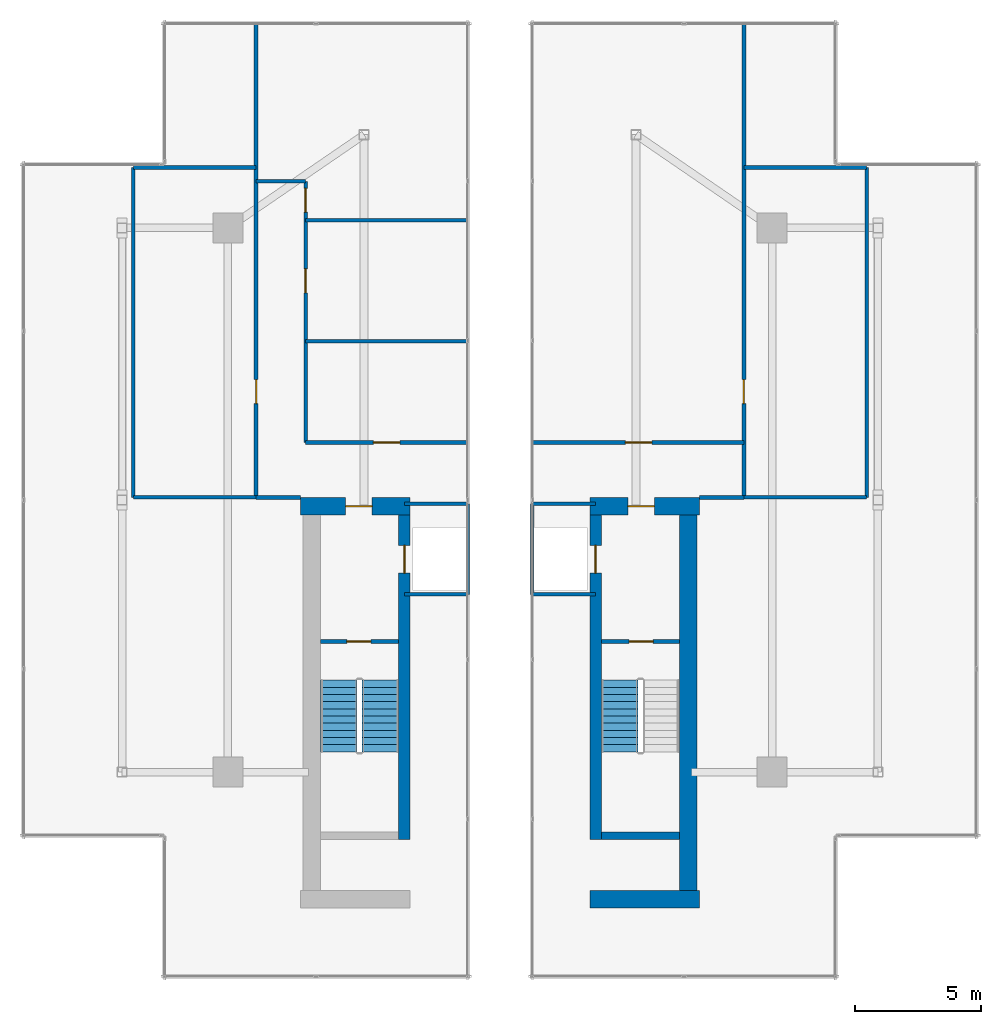
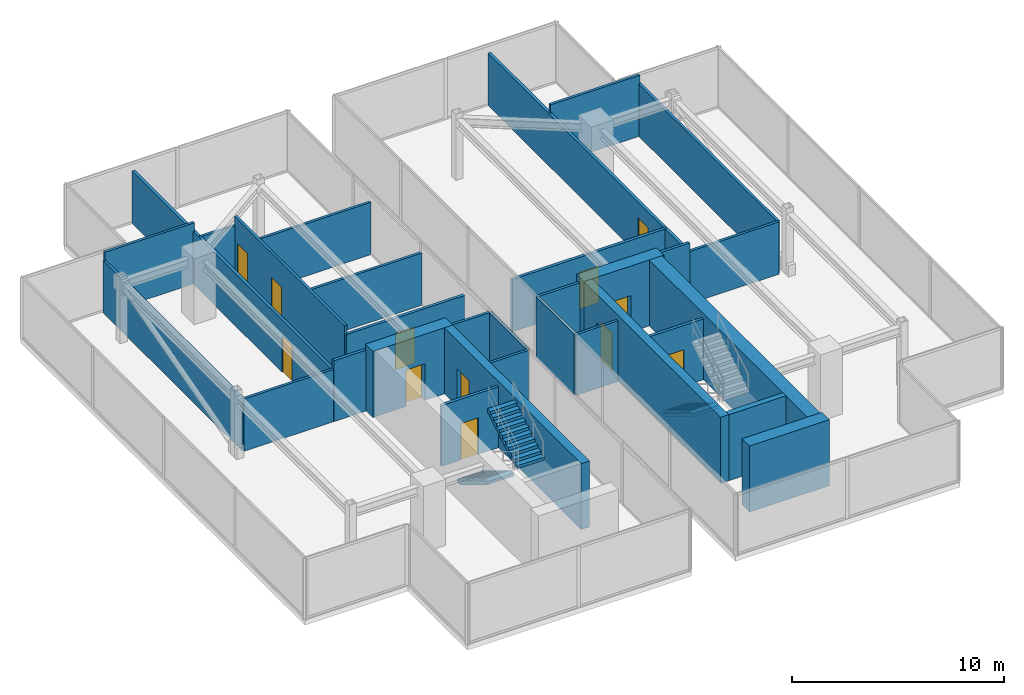
# One storey, part 23 of 25: 31 walls, 12 doors, 3 stair flights, 12 openings, 2 elements without a shape of their own.
"""IFC4 building model written with IfcOpenShell, lengths in metres."""

from ifc_helpers import new_model, si_unit, direction, frame, frame_2d, origin, place, context, subcontext, project, spatial, polyline, rectangle, outline, extrude, material, layer, layer_set, type_object, element, fill, aggregate, save


model = new_model("IFC4")

# Units and contexts
model_context = context("Model", 3, precision=1e-05, world=origin(), true_north=direction((0.0, 1.0)))
body_context = subcontext(model_context, "Body", "Model", "MODEL_VIEW")
ifc_project = project(units=[si_unit("LENGTHUNIT", "METRE"), si_unit("AREAUNIT", "SQUARE_METRE"), si_unit("VOLUMEUNIT", "CUBIC_METRE"), si_unit("PLANEANGLEUNIT", "RADIAN"), si_unit("MASSUNIT", "GRAM", prefix="KILO")], contexts=[model_context])

# Site, building, storey
site_placement = place(None, origin())
site = spatial("IfcSite", under=ifc_project, at=site_placement, CompositionType="ELEMENT")
building_placement = place(site_placement, origin())
building = spatial("IfcBuilding", under=site, at=building_placement, Name="Krantzveldt Concourse Tower", CompositionType="ELEMENT")
storey_placement = place(building_placement, frame((0.0, 0.0, 370.85009765625)))
storey = spatial("IfcBuildingStorey", under=building, at=storey_placement, Name="L91", CompositionType="ELEMENT", Elevation=370.85009765625)

# Walls
ifc_material_1 = material(Name="Fire-rated gypsum plasterboard on steel stud", Category="steel")
ifc_layer_1 = layer(ifc_material_1, 0.139892578125, Name="Fire-rated gypsum plasterboard on steel stud", Category="steel")
ifc_layer_set_1 = layer_set([ifc_layer_1], Name="Fire-rated gypsum plasterboard on steel stud (WL-PART-FR140)")
wall_type_1 = type_object("IfcWallType", Name="WL-PART-FR140", PredefinedType="PARTITIONING", material=ifc_layer_set_1)
wall_1_placement = place(storey_placement, frame((34.719970703125, 22.949951171875, 0.0), z_axis=(0.0, 0.0, 1.0), x_axis=(0.0, 1.0, 0.0)))
element("IfcWall", 1, at=wall_1_placement, inside=storey, type_object=wall_type_1, Name="WP-L91-FL1E", PredefinedType="PARTITIONING", context=body_context, shape_type="SweptSolid", body=[
    extrude(rectangle(XDim=3.60009765625, YDim=0.139892578125, at=frame_2d((1.800048828125, 0.0))), origin(), (0.0, 0.0, 1.0), 3.5),
])
for number, where, z_axis, x_axis, name in (
    (2, (32.2099609375, 22.949951171875, 0.0), (0.0, 0.0, 1.0), (1.0, 0.0, 0.0), "WP-L91-FL1S"),
    (3, (32.2099609375, 26.550048828125, 0.0), (0.0, 0.0, 1.0), (1.0, 0.0, 0.0), "WP-L91-FL1N"),
):
    element("IfcWall", number, at=place(storey_placement, frame(where, z_axis=z_axis, x_axis=x_axis)), inside=storey, type_object=wall_type_1, Name=name, PredefinedType="PARTITIONING", context=body_context, shape_type="SweptSolid", body=[
        extrude(rectangle(XDim=2.510009765625, YDim=0.139892578125, at=frame_2d((1.2548828125, 0.0))), origin(), (0.0, 0.0, 1.0), 3.5),
    ])
wall_2_placement = place(storey_placement, frame((37.280029296875, 22.949951171875, 0.0), z_axis=(0.0, 0.0, 1.0), x_axis=(0.0, 1.0, 0.0)))
element("IfcWall", 4, at=wall_2_placement, inside=storey, type_object=wall_type_1, Name="WP-L91-FL2W", PredefinedType="PARTITIONING", context=body_context, shape_type="SweptSolid", body=[
    extrude(rectangle(XDim=3.60009765625, YDim=0.139892578125, at=frame_2d((1.800048828125, 0.0))), origin(), (0.0, 0.0, 1.0), 3.5),
])
for number, where, z_axis, x_axis, name in (
    (5, (37.280029296875, 22.949951171875, 0.0), (0.0, 0.0, 1.0), (1.0, 0.0, 0.0), "WP-L91-FL2S"),
    (6, (37.280029296875, 26.550048828125, 0.0), (0.0, 0.0, 1.0), (1.0, 0.0, 0.0), "WP-L91-FL2N"),
):
    element("IfcWall", number, at=place(storey_placement, frame(where, z_axis=z_axis, x_axis=x_axis)), inside=storey, type_object=wall_type_1, Name=name, PredefinedType="PARTITIONING", context=body_context, shape_type="SweptSolid", body=[
        extrude(rectangle(XDim=2.510009765625, YDim=0.139892578125, at=frame_2d((1.2548828125, 0.0))), origin(), (0.0, 0.0, 1.0), 3.5),
    ])
wall_3_placement = place(storey_placement, frame((21.449951171875, 26.800048828125, 0.0), z_axis=(0.0, 0.0, 1.0), x_axis=(0.0, 1.0, 0.0)))
element("IfcWall", 7, at=wall_3_placement, inside=storey, type_object=wall_type_1, Name="WP-L91-CWW", PredefinedType="PARTITIONING", context=body_context, shape_type="SweptSolid", body=[
    extrude(rectangle(XDim=13.099853515625, YDim=0.139892578125, at=frame_2d((6.5498046875, 0.0))), origin(), (0.0, 0.0, 1.0), 3.010009765625),
])
wall_4_placement = place(storey_placement, frame((21.449951171875, 26.800048828125, 0.0), z_axis=(0.0, 0.0, 1.0), x_axis=(1.0, 0.0, 0.0)))
element("IfcWall", 8, at=wall_4_placement, inside=storey, type_object=wall_type_1, Name="WP-L91-CWS", PredefinedType="PARTITIONING", context=body_context, shape_type="SweptSolid", body=[
    extrude(rectangle(XDim=4.8701171875, YDim=0.139892578125, at=frame_2d((2.43505859375, 0.0))), origin(), (0.0, 0.0, 1.0), 3.010009765625),
])
wall_5_placement = place(storey_placement, frame((21.449951171875, 39.89990234375, 0.0), z_axis=(0.0, 0.0, 1.0), x_axis=(1.0, 0.0, 0.0)))
element("IfcWall", 9, at=wall_5_placement, inside=storey, type_object=wall_type_1, Name="WP-L91-CWTOP", PredefinedType="PARTITIONING", context=body_context, shape_type="SweptSolid", body=[
    extrude(rectangle(XDim=4.8701171875, YDim=0.139892578125, at=frame_2d((2.43505859375, 0.0))), origin(), (0.0, 0.0, 1.0), 3.5),
])

# Wall, openings, doors
wall_6_placement = place(storey_placement, frame((28.280029296875, 28.97998046875, 0.0), z_axis=(0.0, 0.0, 1.0), x_axis=(0.0, 1.0, 0.0)))
wall_6 = element("IfcWall", 10, at=wall_6_placement, inside=storey, type_object=wall_type_1, Name="WP-L91-CNKR", PredefinedType="PARTITIONING", context=body_context, shape_type="SweptSolid", body=[
    extrude(rectangle(XDim=10.3701171875, YDim=0.139892578125, at=frame_2d((5.18505859375, 0.0))), origin(), (0.0, 0.0, 1.0), 3.5),
])
opening_1_placement = place(wall_6_placement, frame((5.945068359375, 0.0, 0.0)))
opening_1 = element("IfcOpeningElement", 11, at=opening_1_placement, cuts=wall_6, Name="Opening D-FD695", PredefinedType="OPENING", context=body_context, shape_type="SweptSolid", body=[
    extrude(rectangle(XDim=0.949951171875, YDim=2.10009765625, at=frame_2d((0.47509765625, 1.050048828125))), frame((0.0, 0.080078125, 0.0), z_axis=(0.0, -1.0, 0.0), x_axis=(1.0, 0.0, 0.0)), (0.0, 0.0, 1.0), 0.159912109375),
])
opening_2_placement = place(wall_6_placement, frame((9.14501953125, 0.0, 0.0)))
opening_2 = element("IfcOpeningElement", 12, at=opening_2_placement, cuts=wall_6, Name="Opening D-FD695", PredefinedType="OPENING", context=body_context, shape_type="SweptSolid", body=[
    extrude(rectangle(XDim=0.949951171875, YDim=2.10009765625, at=frame_2d((0.47509765625, 1.050048828125))), frame((0.0, 0.080078125, 0.0), z_axis=(0.0, -1.0, 0.0), x_axis=(1.0, 0.0, 0.0)), (0.0, 0.0, 1.0), 0.159912109375),
])
ifc_material_2 = material(Name="Hardwood timber", Category="wood")
door_type_1 = type_object("IfcDoorType", Name="DR-FD60-950", OperationType="SINGLE_SWING_LEFT", PredefinedType="DOOR", material=ifc_material_2)
door_1_placement = place(opening_1_placement, origin())
door_1 = element("IfcDoor", 13, at=door_1_placement, inside=storey, type_object=door_type_1, Name="DR-L91-PLT2", OperationType="SINGLE_SWING_RIGHT", OverallHeight=2.10009765625, OverallWidth=0.949951171875, PredefinedType="DOOR", context=body_context, shape_type="SweptSolid", body=[
    extrude(rectangle(XDim=0.949951171875, YDim=2.10009765625, at=frame_2d((0.47509765625, 1.050048828125))), frame((0.0, 0.02490234375, 0.0), z_axis=(0.0, -1.0, 0.0), x_axis=(1.0, 0.0, 0.0)), (0.0, 0.0, 1.0), 0.050048828125),
])
fill(opening_1, door_1)
door_2_placement = place(opening_2_placement, origin())
door_2 = element("IfcDoor", 14, at=door_2_placement, inside=storey, type_object=door_type_1, Name="DR-L91-PLT3", OperationType="SINGLE_SWING_LEFT", OverallHeight=2.10009765625, OverallWidth=0.949951171875, PredefinedType="DOOR", context=body_context, shape_type="SweptSolid", body=[
    extrude(rectangle(XDim=0.949951171875, YDim=2.10009765625, at=frame_2d((0.47509765625, 1.050048828125))), frame((0.0, 0.02490234375, 0.0), z_axis=(0.0, -1.0, 0.0), x_axis=(1.0, 0.0, 0.0)), (0.0, 0.0, 1.0), 0.050048828125),
])
fill(opening_2, door_2)

# Walls
for number, where, z_axis, x_axis, name in (
    (15, (28.280029296875, 33.0, 0.0), (0.0, 0.0, 1.0), (1.0, 0.0, 0.0), "WP-L91-CDV1"),
    (16, (28.280029296875, 37.800048828125, 0.0), (0.0, 0.0, 1.0), (1.0, 0.0, 0.0), "WP-L91-CDV2"),
):
    element("IfcWall", number, at=place(storey_placement, frame(where, z_axis=z_axis, x_axis=x_axis)), inside=storey, type_object=wall_type_1, Name=name, PredefinedType="PARTITIONING", context=body_context, shape_type="SweptSolid", body=[
        extrude(rectangle(XDim=6.429931640625, YDim=0.139892578125, at=frame_2d((3.21484375, 0.0))), origin(), (0.0, 0.0, 1.0), 3.010009765625),
    ])
wall_7_placement = place(storey_placement, frame((26.320068359375, 39.35009765625, 0.0), z_axis=(0.0, 0.0, 1.0), x_axis=(1.0, 0.0, 0.0)))
element("IfcWall", 17, at=wall_7_placement, inside=storey, type_object=wall_type_1, Name="WP-L91-CNKT", PredefinedType="PARTITIONING", context=body_context, shape_type="SweptSolid", body=[
    extrude(rectangle(XDim=1.9599609375, YDim=0.139892578125, at=frame_2d((0.97998046875, 0.0))), origin(), (0.0, 0.0, 1.0), 3.010009765625),
])
wall_8_placement = place(storey_placement, frame((50.550048828125, 26.800048828125, 0.0), z_axis=(0.0, 0.0, 1.0), x_axis=(0.0, 1.0, 0.0)))
element("IfcWall", 18, at=wall_8_placement, inside=storey, type_object=wall_type_1, Name="WP-L91-EEE", PredefinedType="PARTITIONING", context=body_context, shape_type="SweptSolid", body=[
    extrude(rectangle(XDim=13.099853515625, YDim=0.139892578125, at=frame_2d((6.5498046875, 0.0))), origin(), (0.0, 0.0, 1.0), 3.010009765625),
])
wall_9_placement = place(storey_placement, frame((45.679931640625, 26.800048828125, 0.0), z_axis=(0.0, 0.0, 1.0), x_axis=(1.0, 0.0, 0.0)))
element("IfcWall", 19, at=wall_9_placement, inside=storey, type_object=wall_type_1, Name="WP-L91-EES", PredefinedType="PARTITIONING", context=body_context, shape_type="SweptSolid", body=[
    extrude(rectangle(XDim=4.8701171875, YDim=0.139892578125, at=frame_2d((2.43505859375, 0.0))), origin(), (0.0, 0.0, 1.0), 3.010009765625),
])
wall_10_placement = place(storey_placement, frame((45.679931640625, 39.89990234375, 0.0), z_axis=(0.0, 0.0, 1.0), x_axis=(1.0, 0.0, 0.0)))
element("IfcWall", 20, at=wall_10_placement, inside=storey, type_object=wall_type_1, Name="WP-L91-ETP", PredefinedType="PARTITIONING", context=body_context, shape_type="SweptSolid", body=[
    extrude(rectangle(XDim=4.8701171875, YDim=0.139892578125, at=frame_2d((2.43505859375, 0.0))), origin(), (0.0, 0.0, 1.0), 3.5),
])

# Wall, opening, door
ifc_layer_2 = layer(ifc_material_1, 0.159912109375, Name="Fire-rated gypsum plasterboard on steel stud", Category="steel")
ifc_layer_set_2 = layer_set([ifc_layer_2], Name="Fire-rated gypsum plasterboard on steel stud (WL-PART-FR160)")
wall_type_2 = type_object("IfcWallType", Name="WL-PART-FR160", PredefinedType="PARTITIONING", material=ifc_layer_set_2)
wall_11_placement = place(storey_placement, frame((28.8798828125, 21.080078125, 0.0), z_axis=(0.0, 0.0, 1.0), x_axis=(1.0, 0.0, 0.0)))
wall_11 = element("IfcWall", 21, at=wall_11_placement, inside=storey, type_object=wall_type_2, Name="WP-L91-ST1", PredefinedType="PARTITIONING", context=body_context, shape_type="SweptSolid", body=[
    extrude(rectangle(XDim=3.10009765625, YDim=0.159912109375, at=frame_2d((1.550048828125, 0.0))), origin(), (0.0, 0.0, 1.0), 3.5),
])
opening_3_placement = place(wall_11_placement, frame((1.044921875, 0.0, 0.0)))
opening_3 = element("IfcOpeningElement", 22, at=opening_3_placement, cuts=wall_11, Name="Opening D-FD095", PredefinedType="OPENING", context=body_context, shape_type="SweptSolid", body=[
    extrude(rectangle(XDim=0.949951171875, YDim=2.10009765625, at=frame_2d((0.47509765625, 1.050048828125))), frame((0.0, 0.08984375, 0.0), z_axis=(0.0, -1.0, 0.0), x_axis=(1.0, 0.0, 0.0)), (0.0, 0.0, 1.0), 0.179931640625),
])
ifc_material_3 = material(Name="Galvanised steel", Category="steel")
door_type_2 = type_object("IfcDoorType", Name="DR-FD120-950", OperationType="SINGLE_SWING_LEFT", PredefinedType="DOOR", material=ifc_material_3)
door_3_placement = place(opening_3_placement, origin())
door_3 = element("IfcDoor", 23, at=door_3_placement, inside=storey, type_object=door_type_2, Name="DR-L91-ST1", OperationType="SINGLE_SWING_RIGHT", OverallHeight=2.10009765625, OverallWidth=0.949951171875, PredefinedType="DOOR", context=body_context, shape_type="SweptSolid", body=[
    extrude(rectangle(XDim=0.949951171875, YDim=2.10009765625, at=frame_2d((0.47509765625, 1.050048828125))), frame((0.0, 0.02490234375, 0.0), z_axis=(0.0, -1.0, 0.0), x_axis=(1.0, 0.0, 0.0)), (0.0, 0.0, 1.0), 0.050048828125),
])
fill(opening_3, door_3)

wall_12_placement = place(storey_placement, frame((40.02001953125, 21.080078125, 0.0), z_axis=(0.0, 0.0, 1.0), x_axis=(1.0, 0.0, 0.0)))
wall_12 = element("IfcWall", 24, at=wall_12_placement, inside=storey, type_object=wall_type_2, Name="WP-L91-ST2", PredefinedType="PARTITIONING", context=body_context, shape_type="SweptSolid", body=[
    extrude(rectangle(XDim=3.10009765625, YDim=0.159912109375, at=frame_2d((1.550048828125, 0.0))), origin(), (0.0, 0.0, 1.0), 3.5),
])
opening_4_placement = place(wall_12_placement, frame((1.10498046875, 0.0, 0.0)))
opening_4 = element("IfcOpeningElement", 25, at=opening_4_placement, cuts=wall_12, Name="Opening D-FD095", PredefinedType="OPENING", context=body_context, shape_type="SweptSolid", body=[
    extrude(rectangle(XDim=0.949951171875, YDim=2.10009765625, at=frame_2d((0.47509765625, 1.050048828125))), frame((0.0, 0.08984375, 0.0), z_axis=(0.0, -1.0, 0.0), x_axis=(1.0, 0.0, 0.0)), (0.0, 0.0, 1.0), 0.179931640625),
])
door_4_placement = place(opening_4_placement, origin())
door_4 = element("IfcDoor", 26, at=door_4_placement, inside=storey, type_object=door_type_2, Name="DR-L91-ST2", OperationType="SINGLE_SWING_LEFT", OverallHeight=2.10009765625, OverallWidth=0.949951171875, PredefinedType="DOOR", context=body_context, shape_type="SweptSolid", body=[
    extrude(rectangle(XDim=0.949951171875, YDim=2.10009765625, at=frame_2d((0.47509765625, 1.050048828125))), frame((0.0, 0.02490234375, 0.0), z_axis=(0.0, -1.0, 0.0), x_axis=(1.0, 0.0, 0.0)), (0.0, 0.0, 1.0), 0.050048828125),
])
fill(opening_4, door_4)

wall_13_placement = place(storey_placement, frame((28.280029296875, 28.97998046875, 0.0), z_axis=(0.0, 0.0, 1.0), x_axis=(1.0, 0.0, 0.0)))
wall_13 = element("IfcWall", 27, at=wall_13_placement, inside=storey, type_object=wall_type_2, Name="WP-L91-CN1R", PredefinedType="PARTITIONING", context=body_context, shape_type="SweptSolid", body=[
    extrude(rectangle(XDim=6.429931640625, YDim=0.159912109375, at=frame_2d((3.21484375, 0.0))), origin(), (0.0, 0.0, 1.0), 3.010009765625),
])
opening_5_placement = place(wall_13_placement, frame((2.695068359375, 0.0, 0.0)))
opening_5 = element("IfcOpeningElement", 28, at=opening_5_placement, cuts=wall_13, Name="Opening D-FD105", PredefinedType="OPENING", context=body_context, shape_type="SweptSolid", body=[
    extrude(rectangle(XDim=1.050048828125, YDim=2.10009765625, at=frame_2d((0.52490234375, 1.050048828125))), frame((0.0, 0.08984375, 0.0), z_axis=(0.0, -1.0, 0.0), x_axis=(1.0, 0.0, 0.0)), (0.0, 0.0, 1.0), 0.179931640625),
])
door_type_3 = type_object("IfcDoorType", Name="DR-FD120-1050", OperationType="SINGLE_SWING_LEFT", PredefinedType="DOOR", material=ifc_material_3)
door_5_placement = place(opening_5_placement, origin())
door_5 = element("IfcDoor", 29, at=door_5_placement, inside=storey, type_object=door_type_3, Name="DR-L91-PLT1", OperationType="SINGLE_SWING_LEFT", OverallHeight=2.10009765625, OverallWidth=1.050048828125, PredefinedType="DOOR", context=body_context, shape_type="SweptSolid", body=[
    extrude(rectangle(XDim=1.050048828125, YDim=2.10009765625, at=frame_2d((0.52490234375, 1.050048828125))), frame((0.0, 0.02490234375, 0.0), z_axis=(0.0, -1.0, 0.0), x_axis=(1.0, 0.0, 0.0)), (0.0, 0.0, 1.0), 0.050048828125),
])
fill(opening_5, door_5)

# Wall
wall_14_placement = place(storey_placement, frame((26.320068359375, 26.800048828125, 0.0), z_axis=(0.0, 0.0, 1.0), x_axis=(1.0, 0.0, 0.0)))
element("IfcWall", 30, at=wall_14_placement, inside=storey, type_object=wall_type_2, Name="WP-L91-CS1", PredefinedType="PARTITIONING", context=body_context, shape_type="SweptSolid", body=[
    extrude(rectangle(XDim=1.760009765625, YDim=0.159912109375, at=frame_2d((0.8798828125, 0.0))), origin(), (0.0, 0.0, 1.0), 3.5),
])

# Wall, opening, door
wall_15_placement = place(storey_placement, frame((26.320068359375, 26.800048828125, 0.0), z_axis=(0.0, 0.0, 1.0), x_axis=(0.0, 1.0, 0.0)))
wall_15 = element("IfcWall", 31, at=wall_15_placement, inside=storey, type_object=wall_type_2, Name="WP-L91-CWL", PredefinedType="PARTITIONING", context=body_context, shape_type="SweptSolid", body=[
    extrude(rectangle(XDim=18.81005859375, YDim=0.159912109375, at=frame_2d((9.405029296875, 0.0))), origin(), (0.0, 0.0, 1.0), 3.010009765625),
])
opening_6_placement = place(wall_15_placement, frame((3.72509765625, 0.0, 0.0)))
opening_6 = element("IfcOpeningElement", 32, at=opening_6_placement, cuts=wall_15, Name="Opening D-FD695", PredefinedType="OPENING", context=body_context, shape_type="SweptSolid", body=[
    extrude(rectangle(XDim=0.949951171875, YDim=2.10009765625, at=frame_2d((0.47509765625, 1.050048828125))), frame((0.0, 0.08984375, 0.0), z_axis=(0.0, -1.0, 0.0), x_axis=(1.0, 0.0, 0.0)), (0.0, 0.0, 1.0), 0.179931640625),
])
door_6_placement = place(opening_6_placement, origin())
door_6 = element("IfcDoor", 33, at=door_6_placement, inside=storey, type_object=door_type_1, Name="DR-L91-PLT4", OperationType="SINGLE_SWING_LEFT", OverallHeight=2.10009765625, OverallWidth=0.949951171875, PredefinedType="DOOR", context=body_context, shape_type="SweptSolid", body=[
    extrude(rectangle(XDim=0.949951171875, YDim=2.10009765625, at=frame_2d((0.47509765625, 1.050048828125))), frame((0.0, 0.02490234375, 0.0), z_axis=(0.0, -1.0, 0.0), x_axis=(1.0, 0.0, 0.0)), (0.0, 0.0, 1.0), 0.050048828125),
])
fill(opening_6, door_6)

wall_16_placement = place(storey_placement, frame((37.2900390625, 28.97998046875, 0.0), z_axis=(0.0, 0.0, 1.0), x_axis=(1.0, 0.0, 0.0)))
wall_16 = element("IfcWall", 34, at=wall_16_placement, inside=storey, type_object=wall_type_2, Name="WP-L91-EN1", PredefinedType="PARTITIONING", context=body_context, shape_type="SweptSolid", body=[
    extrude(rectangle(XDim=8.389892578125, YDim=0.159912109375, at=frame_2d((4.19482421875, 0.0))), origin(), (0.0, 0.0, 1.0), 3.010009765625),
])
opening_7_placement = place(wall_16_placement, frame((3.68505859375, 0.0, 0.0)))
opening_7 = element("IfcOpeningElement", 35, at=opening_7_placement, cuts=wall_16, Name="Opening D-FD105", PredefinedType="OPENING", context=body_context, shape_type="SweptSolid", body=[
    extrude(rectangle(XDim=1.050048828125, YDim=2.10009765625, at=frame_2d((0.52490234375, 1.050048828125))), frame((0.0, 0.08984375, 0.0), z_axis=(0.0, -1.0, 0.0), x_axis=(1.0, 0.0, 0.0)), (0.0, 0.0, 1.0), 0.179931640625),
])
door_7_placement = place(opening_7_placement, origin())
door_7 = element("IfcDoor", 36, at=door_7_placement, inside=storey, type_object=door_type_3, Name="DR-L91-EPLT1", OperationType="SINGLE_SWING_RIGHT", OverallHeight=2.10009765625, OverallWidth=1.050048828125, PredefinedType="DOOR", context=body_context, shape_type="SweptSolid", body=[
    extrude(rectangle(XDim=1.050048828125, YDim=2.10009765625, at=frame_2d((0.52490234375, 1.050048828125))), frame((0.0, 0.02490234375, 0.0), z_axis=(0.0, -1.0, 0.0), x_axis=(1.0, 0.0, 0.0)), (0.0, 0.0, 1.0), 0.050048828125),
])
fill(opening_7, door_7)

# Wall
wall_17_placement = place(storey_placement, frame((43.919921875, 26.800048828125, 0.0), z_axis=(0.0, 0.0, 1.0), x_axis=(1.0, 0.0, 0.0)))
element("IfcWall", 37, at=wall_17_placement, inside=storey, type_object=wall_type_2, Name="WP-L91-ES1", PredefinedType="PARTITIONING", context=body_context, shape_type="SweptSolid", body=[
    extrude(rectangle(XDim=1.760009765625, YDim=0.159912109375, at=frame_2d((0.8798828125, 0.0))), origin(), (0.0, 0.0, 1.0), 3.5),
])

# Wall, opening, door
wall_18_placement = place(storey_placement, frame((45.679931640625, 26.800048828125, 0.0), z_axis=(0.0, 0.0, 1.0), x_axis=(0.0, 1.0, 0.0)))
wall_18 = element("IfcWall", 38, at=wall_18_placement, inside=storey, type_object=wall_type_2, Name="WP-L91-EER", PredefinedType="PARTITIONING", context=body_context, shape_type="SweptSolid", body=[
    extrude(rectangle(XDim=18.81005859375, YDim=0.159912109375, at=frame_2d((9.405029296875, 0.0))), origin(), (0.0, 0.0, 1.0), 3.010009765625),
])
opening_8_placement = place(wall_18_placement, frame((3.72509765625, 0.0, 0.0)))
opening_8 = element("IfcOpeningElement", 39, at=opening_8_placement, cuts=wall_18, Name="Opening D-FD695", PredefinedType="OPENING", context=body_context, shape_type="SweptSolid", body=[
    extrude(rectangle(XDim=0.949951171875, YDim=2.10009765625, at=frame_2d((0.47509765625, 1.050048828125))), frame((0.0, 0.08984375, 0.0), z_axis=(0.0, -1.0, 0.0), x_axis=(1.0, 0.0, 0.0)), (0.0, 0.0, 1.0), 0.179931640625),
])
door_8_placement = place(opening_8_placement, origin())
door_8 = element("IfcDoor", 40, at=door_8_placement, inside=storey, type_object=door_type_1, Name="DR-L91-EPLT2", OperationType="SINGLE_SWING_RIGHT", OverallHeight=2.10009765625, OverallWidth=0.949951171875, PredefinedType="DOOR", context=body_context, shape_type="SweptSolid", body=[
    extrude(rectangle(XDim=0.949951171875, YDim=2.10009765625, at=frame_2d((0.47509765625, 1.050048828125))), frame((0.0, 0.02490234375, 0.0), z_axis=(0.0, -1.0, 0.0), x_axis=(1.0, 0.0, 0.0)), (0.0, 0.0, 1.0), 0.050048828125),
])
fill(opening_8, door_8)

# Wall
ifc_material_4 = material(Name="Concrete C50/60", Category="concrete")
ifc_layer_3 = layer(ifc_material_4, 0.300048828125, Name="Concrete C50/60", Category="concrete")
ifc_layer_set_3 = layer_set([ifc_layer_3], Name="Concrete C50/60 (WL-SHEAR-300)")
wall_type_3 = type_object("IfcWallType", Name="WL-SHEAR-300", PredefinedType="SHEAR", material=ifc_layer_set_3)
wall_19_placement = place(storey_placement, frame((40.02001953125, 13.3701171875, 0.0), z_axis=(0.0, 0.0, 1.0), x_axis=(1.0, 0.0, 0.0)))
element("IfcWall", 41, at=wall_19_placement, inside=storey, type_object=wall_type_3, Name="CW-L91-ST2S", PredefinedType="SHEAR", context=body_context, shape_type="SweptSolid", body=[
    extrude(rectangle(XDim=3.10009765625, YDim=0.300048828125, at=frame_2d((1.550048828125, 0.0))), origin(), (0.0, 0.0, 1.0), 3.7998046875),
])

# Wall, opening, door
ifc_layer_4 = layer(ifc_material_4, 0.449951171875, Name="Concrete C50/60", Category="concrete")
ifc_layer_set_4 = layer_set([ifc_layer_4], Name="Concrete C50/60 (WL-SHEAR-450)")
wall_type_4 = type_object("IfcWallType", Name="WL-SHEAR-450", PredefinedType="SHEAR", material=ifc_layer_set_4)
wall_20_placement = place(storey_placement, frame((32.205078125, 13.219970703125, 0.0), z_axis=(0.0, 0.0, 1.0), x_axis=(0.0, 1.0, 0.0)))
wall_20 = element("IfcWall", 42, at=wall_20_placement, inside=storey, type_object=wall_type_4, Name="CW-L91-WC-E", PredefinedType="SHEAR", context=body_context, shape_type="SweptSolid", body=[
    extrude(rectangle(XDim=12.880126953125, YDim=0.449951171875, at=frame_2d((6.43994140625, 0.0))), origin(), (0.0, 0.0, 1.0), 3.7998046875),
])
opening_9_placement = place(wall_20_placement, frame((10.580078125, 0.0, 0.0)))
opening_9 = element("IfcOpeningElement", 43, at=opening_9_placement, cuts=wall_20, Name="Opening LD", PredefinedType="OPENING", context=body_context, shape_type="SweptSolid", body=[
    extrude(rectangle(XDim=1.10009765625, YDim=2.14990234375, at=frame_2d((0.550048828125, 1.074951171875))), frame((0.0, 0.23486328125, 0.0), z_axis=(0.0, -1.0, 0.0), x_axis=(1.0, 0.0, 0.0)), (0.0, 0.0, 1.0), 0.469970703125),
])
ifc_material_5 = material(Name="Stainless steel 316L", Category="steel")
door_type_4 = type_object("IfcDoorType", Name="DR-SLIDE-LD1100", OperationType="DOUBLE_DOOR_SLIDING", PredefinedType="DOOR", material=ifc_material_5)
door_9_placement = place(opening_9_placement, origin())
door_9 = element("IfcDoor", 44, at=door_9_placement, inside=storey, type_object=door_type_4, Name="LD-L91-FL1", OperationType="DOUBLE_DOOR_SLIDING", OverallHeight=2.14990234375, OverallWidth=1.10009765625, PredefinedType="DOOR", context=body_context, shape_type="SweptSolid", body=[
    extrude(rectangle(XDim=1.10009765625, YDim=2.14990234375, at=frame_2d((0.550048828125, 1.074951171875))), frame((0.0, 0.02490234375, 0.0), z_axis=(0.0, -1.0, 0.0), x_axis=(1.0, 0.0, 0.0)), (0.0, 0.0, 1.0), 0.050048828125),
])
fill(opening_9, door_9)

wall_21_placement = place(storey_placement, frame((39.794921875, 13.219970703125, 0.0), z_axis=(0.0, 0.0, 1.0), x_axis=(0.0, 1.0, 0.0)))
wall_21 = element("IfcWall", 45, at=wall_21_placement, inside=storey, type_object=wall_type_4, Name="CW-L91-EC-W", PredefinedType="SHEAR", context=body_context, shape_type="SweptSolid", body=[
    extrude(rectangle(XDim=12.880126953125, YDim=0.449951171875, at=frame_2d((6.43994140625, 0.0))), origin(), (0.0, 0.0, 1.0), 3.7998046875),
])
opening_10_placement = place(wall_21_placement, frame((10.580078125, 0.0, 0.0)))
opening_10 = element("IfcOpeningElement", 46, at=opening_10_placement, cuts=wall_21, Name="Opening LD", PredefinedType="OPENING", context=body_context, shape_type="SweptSolid", body=[
    extrude(rectangle(XDim=1.10009765625, YDim=2.14990234375, at=frame_2d((0.550048828125, 1.074951171875))), frame((0.0, 0.23486328125, 0.0), z_axis=(0.0, -1.0, 0.0), x_axis=(1.0, 0.0, 0.0)), (0.0, 0.0, 1.0), 0.469970703125),
])
door_10_placement = place(opening_10_placement, origin())
door_10 = element("IfcDoor", 47, at=door_10_placement, inside=storey, type_object=door_type_4, Name="LD-L91-FL2", OperationType="DOUBLE_DOOR_SLIDING", OverallHeight=2.14990234375, OverallWidth=1.10009765625, PredefinedType="DOOR", context=body_context, shape_type="SweptSolid", body=[
    extrude(rectangle(XDim=1.10009765625, YDim=2.14990234375, at=frame_2d((0.550048828125, 1.074951171875))), frame((0.0, 0.02490234375, 0.0), z_axis=(0.0, -1.0, 0.0), x_axis=(1.0, 0.0, 0.0)), (0.0, 0.0, 1.0), 0.050048828125),
])
fill(opening_10, door_10)

ifc_layer_5 = layer(ifc_material_4, 0.699951171875, Name="Concrete C50/60", Category="concrete")
ifc_layer_set_5 = layer_set([ifc_layer_5], Name="Concrete C50/60 (WL-SHEAR-700)")
wall_type_5 = type_object("IfcWallType", Name="WL-SHEAR-700", PredefinedType="SHEAR", material=ifc_layer_set_5)
wall_22_placement = place(storey_placement, frame((28.080078125, 26.449951171875, 0.0), z_axis=(0.0, 0.0, 1.0), x_axis=(1.0, 0.0, 0.0)))
wall_22 = element("IfcWall", 48, at=wall_22_placement, inside=storey, type_object=wall_type_5, Name="CW-L91-WC-N", PredefinedType="SHEAR", context=body_context, shape_type="SweptSolid", body=[
    extrude(rectangle(XDim=4.349853515625, YDim=0.699951171875, at=frame_2d((2.1748046875, 0.0))), origin(), (0.0, 0.0, 1.0), 3.7998046875),
])
opening_11_placement = place(wall_22_placement, frame((1.794921875, 0.0, 0.0)))
opening_11 = element("IfcOpeningElement", 49, at=opening_11_placement, cuts=wall_22, Name="Opening D-FD105", PredefinedType="OPENING", context=body_context, shape_type="SweptSolid", body=[
    extrude(rectangle(XDim=1.050048828125, YDim=2.10009765625, at=frame_2d((0.52490234375, 1.050048828125))), frame((0.0, 0.35986328125, 0.0), z_axis=(0.0, -1.0, 0.0), x_axis=(1.0, 0.0, 0.0)), (0.0, 0.0, 1.0), 0.719970703125),
])
door_11_placement = place(opening_11_placement, origin())
door_11 = element("IfcDoor", 50, at=door_11_placement, inside=storey, type_object=door_type_3, Name="DR-L91-FFL1", OperationType="SINGLE_SWING_LEFT", OverallHeight=2.10009765625, OverallWidth=1.050048828125, PredefinedType="DOOR", context=body_context, shape_type="SweptSolid", body=[
    extrude(rectangle(XDim=1.050048828125, YDim=2.10009765625, at=frame_2d((0.52490234375, 1.050048828125))), frame((0.0, 0.02490234375, 0.0), z_axis=(0.0, -1.0, 0.0), x_axis=(1.0, 0.0, 0.0)), (0.0, 0.0, 1.0), 0.050048828125),
])
fill(opening_11, door_11)

# Wall
wall_23_placement = place(storey_placement, frame((39.570068359375, 10.85009765625, 0.0), z_axis=(0.0, 0.0, 1.0), x_axis=(1.0, 0.0, 0.0)))
element("IfcWall", 51, at=wall_23_placement, inside=storey, type_object=wall_type_5, Name="CW-L91-EC-S", PredefinedType="SHEAR", context=body_context, shape_type="SweptSolid", body=[
    extrude(rectangle(XDim=4.349853515625, YDim=0.699951171875, at=frame_2d((2.1748046875, 0.0))), origin(), (0.0, 0.0, 1.0), 3.7998046875),
])

# Wall, opening, door
wall_24_placement = place(storey_placement, frame((39.570068359375, 26.449951171875, 0.0), z_axis=(0.0, 0.0, 1.0), x_axis=(1.0, 0.0, 0.0)))
wall_24 = element("IfcWall", 52, at=wall_24_placement, inside=storey, type_object=wall_type_5, Name="CW-L91-EC-N", PredefinedType="SHEAR", context=body_context, shape_type="SweptSolid", body=[
    extrude(rectangle(XDim=4.349853515625, YDim=0.699951171875, at=frame_2d((2.1748046875, 0.0))), origin(), (0.0, 0.0, 1.0), 3.7998046875),
])
opening_12_placement = place(wall_24_placement, frame((1.5048828125, 0.0, 0.0)))
opening_12 = element("IfcOpeningElement", 53, at=opening_12_placement, cuts=wall_24, Name="Opening D-FD105", PredefinedType="OPENING", context=body_context, shape_type="SweptSolid", body=[
    extrude(rectangle(XDim=1.050048828125, YDim=2.10009765625, at=frame_2d((0.52490234375, 1.050048828125))), frame((0.0, 0.35986328125, 0.0), z_axis=(0.0, -1.0, 0.0), x_axis=(1.0, 0.0, 0.0)), (0.0, 0.0, 1.0), 0.719970703125),
])
door_12_placement = place(opening_12_placement, origin())
door_12 = element("IfcDoor", 54, at=door_12_placement, inside=storey, type_object=door_type_3, Name="DR-L91-FFL2", OperationType="SINGLE_SWING_RIGHT", OverallHeight=2.10009765625, OverallWidth=1.050048828125, PredefinedType="DOOR", context=body_context, shape_type="SweptSolid", body=[
    extrude(rectangle(XDim=1.050048828125, YDim=2.10009765625, at=frame_2d((0.52490234375, 1.050048828125))), frame((0.0, 0.02490234375, 0.0), z_axis=(0.0, -1.0, 0.0), x_axis=(1.0, 0.0, 0.0)), (0.0, 0.0, 1.0), 0.050048828125),
])
fill(opening_12, door_12)

# Wall
wall_25_placement = place(storey_placement, frame((43.469970703125, 11.199951171875, 0.0), z_axis=(0.0, 0.0, 1.0), x_axis=(0.0, 1.0, 0.0)))
element("IfcWall", 55, at=wall_25_placement, inside=storey, type_object=wall_type_5, Name="CW-L91-EC-E", PredefinedType="SHEAR", context=body_context, shape_type="SweptSolid", body=[
    extrude(rectangle(XDim=14.900146484375, YDim=0.699951171875, at=frame_2d((7.4501953125, 0.0))), origin(), (0.0, 0.0, 1.0), 3.7998046875),
])

# Stair, stair flights
ifc_material_6 = material(Name="Precast concrete C40/50", Category="concrete")
stair_type = type_object("IfcStairType", Name="STR-CORE-DOGLEG", PredefinedType="HALF_TURN_STAIR", material=ifc_material_6)
stair_1_placement = place(storey_placement, origin())
stair_1 = element("IfcStair", 56, at=stair_1_placement, inside=storey, type_object=stair_type, Name="L91 Protected Escape Stair ST-1", PredefinedType="HALF_TURN_STAIR")
stair_flight_type = type_object("IfcStairFlightType", Name="STF-CORE-1450", PredefinedType="STRAIGHT", material=ifc_material_6)
stair_flight_1_placement = place(storey_placement, frame((29.60498046875, 19.550048828125, 0.0), z_axis=(0.0, 0.0, 1.0), x_axis=(0.0, -1.0, 0.0)))
stair_flight_1 = element("IfcStairFlight", 57, at=stair_flight_1_placement, type_object=stair_flight_type, Name="ST-1 flight 1", NumberOfRisers=11, NumberOfTreads=10, PredefinedType="STRAIGHT", RiserHeight=0.172727273, TreadLength=0.285, context=body_context, shape_type="SweptSolid", body=[
    extrude(outline(polyline([(0.0, 0.0), (0.0, 0.172607421875), (0.284912109375, 0.172607421875), (0.284912109375, 0.345458984375), (0.570068359375, 0.345458984375), (0.570068359375, 0.51806640625), (0.85498046875, 0.51806640625), (0.85498046875, 0.69091796875), (1.139892578125, 0.69091796875), (1.139892578125, 0.863525390625), (1.425048828125, 0.863525390625), (1.425048828125, 1.036376953125), (1.7099609375, 1.036376953125), (1.7099609375, 1.208984375), (1.9951171875, 1.208984375), (1.9951171875, 1.3818359375), (2.280029296875, 1.3818359375), (2.280029296875, 1.554443359375), (2.56494140625, 1.554443359375), (2.56494140625, 1.727294921875), (2.85009765625, 1.727294921875), (2.85009765625, 1.89990234375), (2.85009765625, 1.552001953125), (0.289306640625, 0.0), (0.0, 0.0)])), frame((0.0, 0.72509765625, 0.0), z_axis=(0.0, -1.0, 0.0), x_axis=(1.0, 0.0, 0.0)), (0.0, 0.0, 1.0), 1.449951171875),
])
stair_flight_2_placement = place(storey_placement, frame((31.2548828125, 16.699951171875, 1.89990234375), z_axis=(0.0, 0.0, 1.0), x_axis=(0.0, 1.0, 0.0)))
stair_flight_2 = element("IfcStairFlight", 58, at=stair_flight_2_placement, type_object=stair_flight_type, Name="ST-1 flight 2", NumberOfRisers=11, NumberOfTreads=10, PredefinedType="STRAIGHT", RiserHeight=0.172727273, TreadLength=0.285, context=body_context, shape_type="SweptSolid", body=[
    extrude(outline(polyline([(0.0, 0.0), (0.0, 0.172607421875), (0.284912109375, 0.172607421875), (0.284912109375, 0.345458984375), (0.570068359375, 0.345458984375), (0.570068359375, 0.51806640625), (0.85498046875, 0.51806640625), (0.85498046875, 0.69091796875), (1.139892578125, 0.69091796875), (1.139892578125, 0.863525390625), (1.425048828125, 0.863525390625), (1.425048828125, 1.036376953125), (1.7099609375, 1.036376953125), (1.7099609375, 1.208984375), (1.9951171875, 1.208984375), (1.9951171875, 1.3818359375), (2.280029296875, 1.3818359375), (2.280029296875, 1.554443359375), (2.56494140625, 1.554443359375), (2.56494140625, 1.727294921875), (2.85009765625, 1.727294921875), (2.85009765625, 1.89990234375), (2.85009765625, 1.552001953125), (0.289306640625, 0.0), (0.0, 0.0)])), frame((0.0, 0.72509765625, 0.0), z_axis=(0.0, -1.0, 0.0), x_axis=(1.0, 0.0, 0.0)), (0.0, 0.0, 1.0), 1.449951171875),
])
aggregate(stair_1, [stair_flight_1, stair_flight_2])

# Stair, stair flight
stair_2_placement = place(storey_placement, origin())
stair_2 = element("IfcStair", 59, at=stair_2_placement, inside=storey, type_object=stair_type, Name="L91 Protected Escape Stair ST-2", PredefinedType="HALF_TURN_STAIR")
stair_flight_3_placement = place(storey_placement, frame((40.7451171875, 19.550048828125, 0.0), z_axis=(0.0, 0.0, 1.0), x_axis=(0.0, -1.0, 0.0)))
stair_flight_3 = element("IfcStairFlight", 60, at=stair_flight_3_placement, type_object=stair_flight_type, Name="ST-2 flight 1", NumberOfRisers=11, NumberOfTreads=10, PredefinedType="STRAIGHT", RiserHeight=0.172727273, TreadLength=0.285, context=body_context, shape_type="SweptSolid", body=[
    extrude(outline(polyline([(0.0, 0.0), (0.0, 0.172607421875), (0.284912109375, 0.172607421875), (0.284912109375, 0.345458984375), (0.570068359375, 0.345458984375), (0.570068359375, 0.51806640625), (0.85498046875, 0.51806640625), (0.85498046875, 0.69091796875), (1.139892578125, 0.69091796875), (1.139892578125, 0.863525390625), (1.425048828125, 0.863525390625), (1.425048828125, 1.036376953125), (1.7099609375, 1.036376953125), (1.7099609375, 1.208984375), (1.9951171875, 1.208984375), (1.9951171875, 1.3818359375), (2.280029296875, 1.3818359375), (2.280029296875, 1.554443359375), (2.56494140625, 1.554443359375), (2.56494140625, 1.727294921875), (2.85009765625, 1.727294921875), (2.85009765625, 1.89990234375), (2.85009765625, 1.552001953125), (0.289306640625, 0.0), (0.0, 0.0)])), frame((0.0, 0.72509765625, 0.0), z_axis=(0.0, -1.0, 0.0), x_axis=(1.0, 0.0, 0.0)), (0.0, 0.0, 1.0), 1.449951171875),
])
aggregate(stair_2, [stair_flight_3])

save(model, "model.ifc")
